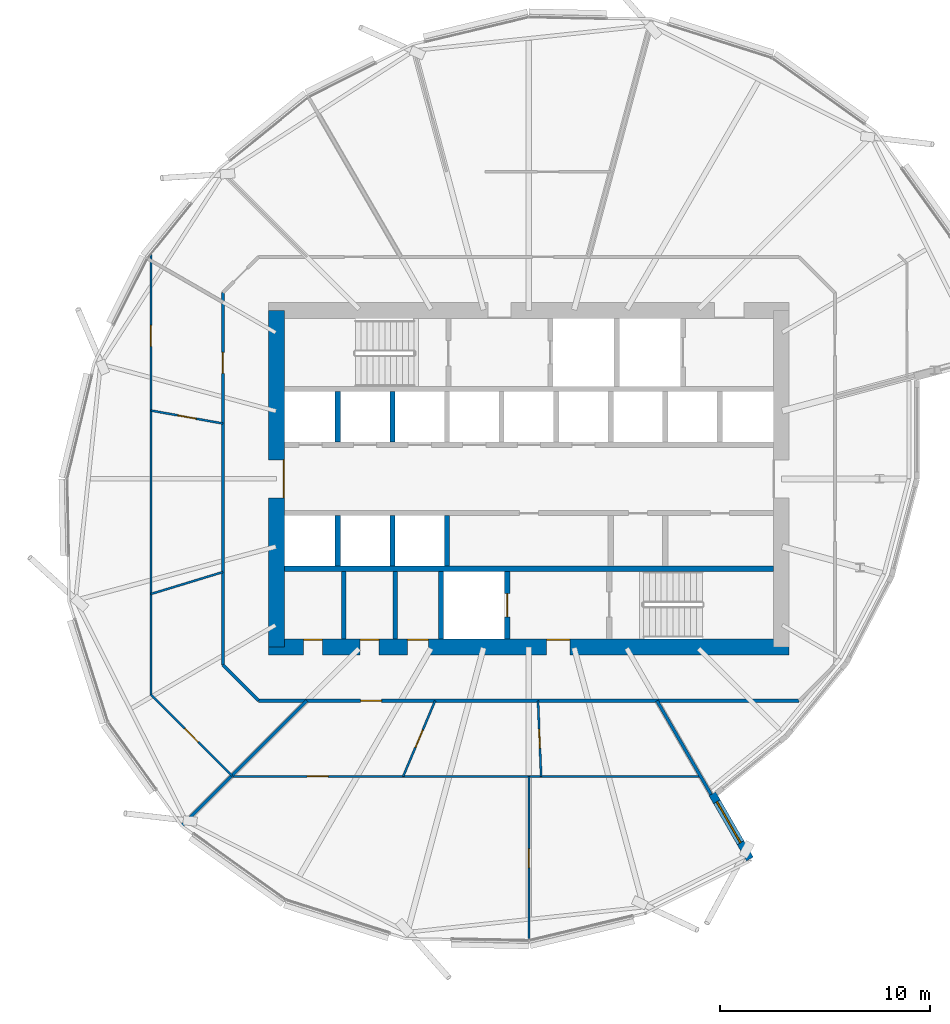
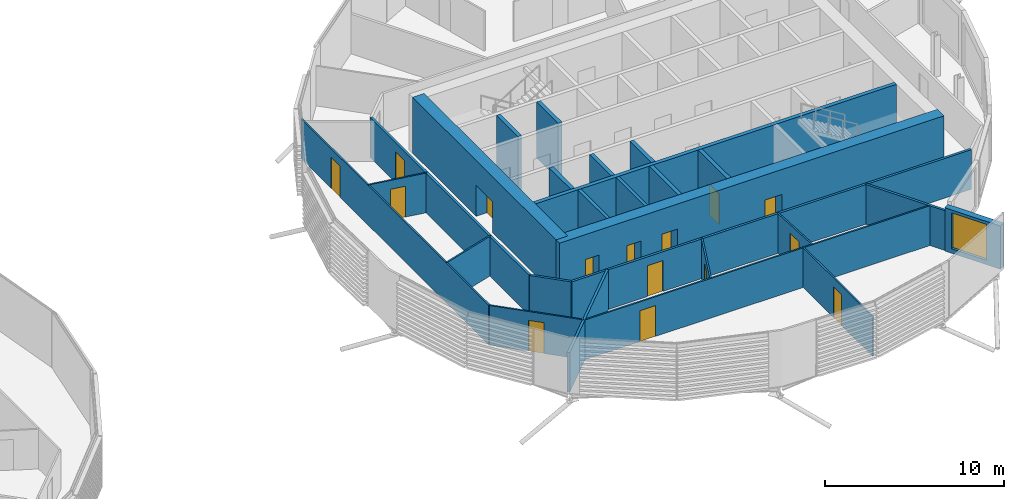
# One storey, part 24 of 39: 27 walls, 15 doors, 1 window, 16 openings.
"""IFC4 building model written with IfcOpenShell, lengths in metres."""

from ifc_helpers import new_model, si_unit, direction, frame, frame_2d, origin, place, context, subcontext, project, spatial, rectangle, extrude, material, layer, layer_set, type_object, element, fill, save


model = new_model("IFC4")

# Units and contexts
model_context = context("Model", 3, precision=1e-05, world=origin(), true_north=direction((0.0, 1.0)))
body_context = subcontext(model_context, "Body", "Model", "MODEL_VIEW")
ifc_project = project(units=[si_unit("LENGTHUNIT", "METRE"), si_unit("AREAUNIT", "SQUARE_METRE"), si_unit("VOLUMEUNIT", "CUBIC_METRE"), si_unit("PLANEANGLEUNIT", "RADIAN"), si_unit("MASSUNIT", "GRAM", prefix="KILO")], contexts=[model_context])

# Site, building, storey
site_placement = place(None, origin())
site = spatial("IfcSite", under=ifc_project, at=site_placement, CompositionType="ELEMENT")
building_placement = place(site_placement, origin())
building = spatial("IfcBuilding", under=site, at=building_placement, Name="Rimbun Link Towers", CompositionType="ELEMENT")
storey_placement = place(building_placement, frame((0.0, 0.0, 112.0)))
storey = spatial("IfcBuildingStorey", under=building, at=storey_placement, Name="L27", CompositionType="ELEMENT", Elevation=112.0)

# Wall, opening, window
ifc_material_1 = material(Name="Dark enamelled glass spandrel on insulated aluminium backpan", Category="aluminium")
ifc_layer_1 = layer(ifc_material_1, 0.3701171875)
ifc_layer_set_1 = layer_set([ifc_layer_1], Name="CS dark enamelled spandrel wall 370")
wall_type_1 = type_object("IfcWallType", Name="CS dark enamelled spandrel wall 370", PredefinedType="STANDARD", material=ifc_layer_set_1)
wall_1_placement = place(storey_placement, frame((40.4716796875, -14.976318359375, 0.0), z_axis=(0.0, 0.0, 1.0), x_axis=(0.500011709085, -0.866018643436, 0.0)))
wall_1 = element("IfcWall", 1, at=wall_1_placement, inside=storey, type_object=wall_type_1, Name="Crease spandrel wall", PredefinedType="STANDARD", context=body_context, shape_type="SweptSolid", body=[
    extrude(rectangle(XDim=3.580078125, YDim=0.3701171875, at=frame_2d((1.7900390625, 0.0))), origin(), (0.0, 0.0, 1.0), 2.9462890625),
])
opening_1_placement = place(wall_1_placement, frame((0.43505859375, 0.0, 0.300048828125)))
opening_1 = element("IfcOpeningElement", 2, at=opening_1_placement, cuts=wall_1, Name="Opening WR22H245", PredefinedType="OPENING", context=body_context, shape_type="SweptSolid", body=[
    extrude(rectangle(XDim=2.25, YDim=2.449951171875, at=frame_2d((1.125, 1.22509765625))), frame((0.0, 0.195068359375, 0.0), z_axis=(0.0, -1.0, 0.0), x_axis=(1.0, 0.0, 0.0)), (0.0, 0.0, 1.0), 0.39013671875),
])
ifc_material_2 = material(Name="Aluminium framed fixed window, dark tinted low-e glass", Category="aluminium")
window_type = type_object("IfcWindowType", Name="WR ribbon window 2250X2450", PartitioningType="SINGLE_PANEL", PredefinedType="WINDOW", material=ifc_material_2)
window_placement = place(opening_1_placement, origin())
window = element("IfcWindow", 3, at=window_placement, inside=storey, type_object=window_type, Name="Crease ribbon window", OverallHeight=2.449951171875, OverallWidth=2.25, PartitioningType="SINGLE_PANEL", PredefinedType="WINDOW", context=body_context, shape_type="SweptSolid", body=[
    extrude(rectangle(XDim=2.25, YDim=2.449951171875, at=frame_2d((1.125, 1.22509765625))), frame((0.0, 0.030029296875, 0.0), z_axis=(0.0, -1.0, 0.0), x_axis=(1.0, 0.0, 0.0)), (0.0, 0.0, 1.0), 0.06005859375),
])
fill(opening_1, window)

# Walls
ifc_material_3 = material(Name="Masonry blockwork", Category="masonry")
ifc_layer_2 = layer(ifc_material_3, 0.199951171875)
ifc_layer_set_2 = layer_set([ifc_layer_2], Name="Core partition 200")
wall_type_2 = type_object("IfcWallType", Name="Core partition 200", PredefinedType="PARTITIONING", material=ifc_layer_set_2)
for number, where, z_axis, x_axis, name in (
    (4, (22.949951171875, -4.39990234375, 0.0), (0.0, 0.0, 1.0), (0.0, -1.0, 0.0), "L27 T2 core wall C1"),
    (5, (25.39990234375, -4.39990234375, 0.0), (0.0, 0.0, 1.0), (0.0, -1.0, 0.0), "L27 T2 core wall C2"),
):
    element("IfcWall", number, at=place(storey_placement, frame(where, z_axis=z_axis, x_axis=x_axis)), inside=storey, type_object=wall_type_2, Name=name, PredefinedType="PARTITIONING", context=body_context, shape_type="SweptSolid", body=[
        extrude(rectangle(XDim=3.22509765625, YDim=0.199951171875, at=frame_2d((1.612548828125, 0.0))), origin(), (0.0, 0.0, 1.0), 3.800048828125),
    ])

# Wall, openings, doors
ifc_material_4 = material(Name="Concrete C60/75", Category="concrete")
ifc_layer_3 = layer(ifc_material_4, 0.75)
ifc_layer_set_3 = layer_set([ifc_layer_3], Name="Core shear wall 750")
wall_type_3 = type_object("IfcWallType", Name="Core shear wall 750", PredefinedType="SHEAR", material=ifc_layer_set_3)
wall_2_placement = place(storey_placement, frame((19.375, -8.0, 0.0), z_axis=(0.0, 0.0, 1.0), x_axis=(1.0, 0.0, 0.0)))
wall_2 = element("IfcWall", 6, at=wall_2_placement, inside=storey, type_object=wall_type_3, Name="L27 T2 core wall S", PredefinedType="SHEAR", context=body_context, shape_type="SweptSolid", body=[
    extrude(rectangle(XDim=24.75, YDim=0.75, at=frame_2d((12.375, 0.0))), origin(), (0.0, 0.0, 1.0), 3.800048828125),
])
opening_2_placement = place(wall_2_placement, frame((13.22509765625, 0.0, 0.0)))
opening_2 = element("IfcOpeningElement", 7, at=opening_2_placement, cuts=wall_2, Name="Opening C2DCF01S", PredefinedType="OPENING", context=body_context, shape_type="SweptSolid", body=[
    extrude(rectangle(XDim=1.10009765625, YDim=2.10009765625, at=frame_2d((0.550048828125, 1.050048828125))), frame((0.0, 0.385009765625, 0.0), z_axis=(0.0, -1.0, 0.0), x_axis=(1.0, 0.0, 0.0)), (0.0, 0.0, 1.0), 0.77001953125),
])
opening_3_placement = place(wall_2_placement, frame((1.66259765625, 0.0, 0.0)))
opening_3 = element("IfcOpeningElement", 8, at=opening_3_placement, cuts=wall_2, Name="Opening C2DWC02S", PredefinedType="OPENING", context=body_context, shape_type="SweptSolid", body=[
    extrude(rectangle(XDim=0.89990234375, YDim=2.10009765625, at=frame_2d((0.449951171875, 1.050048828125))), frame((0.0, 0.385009765625, 0.0), z_axis=(0.0, -1.0, 0.0), x_axis=(1.0, 0.0, 0.0)), (0.0, 0.0, 1.0), 0.77001953125),
])
opening_4_placement = place(wall_2_placement, frame((4.35009765625, 0.0, 0.0)))
opening_4 = element("IfcOpeningElement", 9, at=opening_4_placement, cuts=wall_2, Name="Opening C2DWC03S", PredefinedType="OPENING", context=body_context, shape_type="SweptSolid", body=[
    extrude(rectangle(XDim=0.89990234375, YDim=2.10009765625, at=frame_2d((0.449951171875, 1.050048828125))), frame((0.0, 0.385009765625, 0.0), z_axis=(0.0, -1.0, 0.0), x_axis=(1.0, 0.0, 0.0)), (0.0, 0.0, 1.0), 0.77001953125),
])
opening_5_placement = place(wall_2_placement, frame((6.60009765625, 0.0, 0.0)))
opening_5 = element("IfcOpeningElement", 10, at=opening_5_placement, cuts=wall_2, Name="Opening C2DAW04S", PredefinedType="OPENING", context=body_context, shape_type="SweptSolid", body=[
    extrude(rectangle(XDim=1.0, YDim=2.10009765625, at=frame_2d((0.5, 1.050048828125))), frame((0.0, 0.385009765625, 0.0), z_axis=(0.0, -1.0, 0.0), x_axis=(1.0, 0.0, 0.0)), (0.0, 0.0, 1.0), 0.77001953125),
])
ifc_material_5 = material(Name="Timber", Category="wood")
door_type_1 = type_object("IfcDoorType", Name="Accessible WC door", OperationType="SINGLE_SWING_LEFT", PredefinedType="DOOR", material=ifc_material_5)
door_1_placement = place(opening_5_placement, origin())
door_1 = element("IfcDoor", 11, at=door_1_placement, inside=storey, type_object=door_type_1, Name="L27 T2 accessible wc door", OperationType="SINGLE_SWING_RIGHT", OverallHeight=2.10009765625, OverallWidth=1.0, PredefinedType="DOOR", context=body_context, shape_type="SweptSolid", body=[
    extrude(rectangle(XDim=1.0, YDim=2.10009765625, at=frame_2d((0.5, 1.050048828125))), frame((0.0, 0.375, 0.0), z_axis=(0.0, -1.0, 0.0), x_axis=(1.0, 0.0, 0.0)), (0.0, 0.0, 1.0), 0.050048828125),
])
fill(opening_5, door_1)
ifc_material_6 = material(Name="Steel fire door set", Category="steel")
door_type_2 = type_object("IfcDoorType", Name="Core fire door single", OperationType="SINGLE_SWING_LEFT", PredefinedType="DOOR", material=ifc_material_6)
door_2_placement = place(opening_2_placement, origin())
door_2 = element("IfcDoor", 12, at=door_2_placement, inside=storey, type_object=door_type_2, Name="L27 T2 firefighting lobby s door", OperationType="SINGLE_SWING_RIGHT", OverallHeight=2.10009765625, OverallWidth=1.10009765625, PredefinedType="DOOR", context=body_context, shape_type="SweptSolid", body=[
    extrude(rectangle(XDim=1.10009765625, YDim=2.10009765625, at=frame_2d((0.550048828125, 1.050048828125))), frame((0.0, 0.375, 0.0), z_axis=(0.0, -1.0, 0.0), x_axis=(1.0, 0.0, 0.0)), (0.0, 0.0, 1.0), 0.050048828125),
])
fill(opening_2, door_2)
ifc_material_7 = material(Name="Timber", Category="wood")
door_type_3 = type_object("IfcDoorType", Name="WC door", OperationType="SINGLE_SWING_LEFT", PredefinedType="DOOR", material=ifc_material_7)
door_3_placement = place(opening_3_placement, origin())
door_3 = element("IfcDoor", 13, at=door_3_placement, inside=storey, type_object=door_type_3, Name="L27 T2 male wc door", OperationType="SINGLE_SWING_LEFT", OverallHeight=2.10009765625, OverallWidth=0.89990234375, PredefinedType="DOOR", context=body_context, shape_type="SweptSolid", body=[
    extrude(rectangle(XDim=0.89990234375, YDim=2.10009765625, at=frame_2d((0.449951171875, 1.050048828125))), frame((0.0, 0.375, 0.0), z_axis=(0.0, -1.0, 0.0), x_axis=(1.0, 0.0, 0.0)), (0.0, 0.0, 1.0), 0.050048828125),
])
fill(opening_3, door_3)
door_4_placement = place(opening_4_placement, origin())
door_4 = element("IfcDoor", 14, at=door_4_placement, inside=storey, type_object=door_type_3, Name="L27 T2 female wc door", OperationType="SINGLE_SWING_RIGHT", OverallHeight=2.10009765625, OverallWidth=0.89990234375, PredefinedType="DOOR", context=body_context, shape_type="SweptSolid", body=[
    extrude(rectangle(XDim=0.89990234375, YDim=2.10009765625, at=frame_2d((0.449951171875, 1.050048828125))), frame((0.0, 0.375, 0.0), z_axis=(0.0, -1.0, 0.0), x_axis=(1.0, 0.0, 0.0)), (0.0, 0.0, 1.0), 0.050048828125),
])
fill(opening_4, door_4)

# Wall, opening, door
wall_3_placement = place(storey_placement, frame((19.75, -8.0, 0.0), z_axis=(0.0, 0.0, 1.0), x_axis=(0.0, 1.0, 0.0)))
wall_3 = element("IfcWall", 15, at=wall_3_placement, inside=storey, type_object=wall_type_3, Name="L27 T2 core wall W", PredefinedType="SHEAR", context=body_context, shape_type="SweptSolid", body=[
    extrude(rectangle(XDim=16.0, YDim=0.75, at=frame_2d((8.0, 0.0))), origin(), (0.0, 0.0, 1.0), 3.800048828125),
])
opening_6_placement = place(wall_3_placement, frame((7.10009765625, 0.0, 0.0)))
opening_6 = element("IfcOpeningElement", 16, at=opening_6_placement, cuts=wall_3, Name="Opening C2DCL01W", PredefinedType="OPENING", context=body_context, shape_type="SweptSolid", body=[
    extrude(rectangle(XDim=1.800048828125, YDim=2.10009765625, at=frame_2d((0.89990234375, 1.050048828125))), frame((0.0, 0.385009765625, 0.0), z_axis=(0.0, -1.0, 0.0), x_axis=(1.0, 0.0, 0.0)), (0.0, 0.0, 1.0), 0.77001953125),
])
ifc_material_8 = material(Name="Steel fire door set", Category="steel")
door_type_4 = type_object("IfcDoorType", Name="Core lobby door double", OperationType="DOUBLE_DOOR_SINGLE_SWING", PredefinedType="DOOR", material=ifc_material_8)
door_5_placement = place(opening_6_placement, origin())
door_5 = element("IfcDoor", 17, at=door_5_placement, inside=storey, type_object=door_type_4, Name="L27 T2 lift lobby door", OperationType="DOUBLE_DOOR_SINGLE_SWING", OverallHeight=2.10009765625, OverallWidth=1.800048828125, PredefinedType="DOOR", context=body_context, shape_type="SweptSolid", body=[
    extrude(rectangle(XDim=1.800048828125, YDim=2.10009765625, at=frame_2d((0.89990234375, 1.050048828125))), frame((0.0, -0.3251953125, 0.0), z_axis=(0.0, -1.0, 0.0), x_axis=(1.0, 0.0, 0.0)), (0.0, 0.0, 1.0), 0.050048828125),
])
fill(opening_6, door_5)

ifc_material_9 = material(Name="Plasterboard on steel stud, mineral wool", Category="steel")
ifc_layer_4 = layer(ifc_material_9, 0.14990234375)
ifc_layer_set_4 = layer_set([ifc_layer_4], Name="Corridor wall EI 30 150 mm")
wall_type_4 = type_object("IfcWallType", Name="Corridor wall EI 30 150 mm", PredefinedType="PARTITIONING", material=ifc_layer_set_4)
wall_4_placement = place(storey_placement, frame((44.601806640625, -10.550048828125, 0.0), z_axis=(0.0, 0.0, 1.0), x_axis=(-1.0, 0.0, 0.0)))
wall_4 = element("IfcWall", 18, at=wall_4_placement, inside=storey, type_object=wall_type_4, Name="Corridor wall EI 30 150 mm", PredefinedType="PARTITIONING", context=body_context, shape_type="SweptSolid", body=[
    extrude(rectangle(XDim=25.70361328125, YDim=0.14990234375, at=frame_2d((12.851806640625, 0.0))), origin(), (0.0, 0.0, 1.0), 2.701904296875),
])
opening_7_placement = place(wall_4_placement, frame((19.855224609375, 0.0, 0.0)))
opening_7 = element("IfcOpeningElement", 19, at=opening_7_placement, cuts=wall_4, Name="Opening D01", PredefinedType="OPENING", context=body_context, shape_type="SweptSolid", body=[
    extrude(rectangle(XDim=1.0, YDim=2.10009765625, at=frame_2d((0.5, 1.050048828125))), frame((0.0, 0.0849609375, 0.0), z_axis=(0.0, -1.0, 0.0), x_axis=(1.0, 0.0, 0.0)), (0.0, 0.0, 1.0), 0.169921875),
])
ifc_material_10 = material(Name="Fire-resisting timber door leaf", Category="wood")
door_type_5 = type_object("IfcDoorType", Name="Fire door FD30S 1000", OperationType="NOTDEFINED", PredefinedType="DOOR", material=ifc_material_10)
door_6_placement = place(opening_7_placement, origin())
door_6 = element("IfcDoor", 20, at=door_6_placement, inside=storey, type_object=door_type_5, Name="Fire door FD30S 1000 to Reception", OperationType="SINGLE_SWING_RIGHT", OverallHeight=2.10009765625, OverallWidth=1.0, PredefinedType="DOOR", context=body_context, shape_type="SweptSolid", body=[
    extrude(rectangle(XDim=1.0, YDim=2.10009765625, at=frame_2d((0.5, 1.050048828125))), frame((0.0, 0.02490234375, 0.0), z_axis=(0.0, -1.0, 0.0), x_axis=(1.0, 0.0, 0.0)), (0.0, 0.0, 1.0), 0.050048828125),
])
fill(opening_7, door_6)

# Wall
wall_5_placement = place(storey_placement, frame((17.199951171875, -8.851806640625, 0.0), z_axis=(0.0, 0.0, 1.0), x_axis=(0.707106781187, -0.707106781187, 0.0)))
element("IfcWall", 21, at=wall_5_placement, inside=storey, type_object=wall_type_4, Name="Corridor wall EI 30 150 mm", PredefinedType="PARTITIONING", context=body_context, shape_type="SweptSolid", body=[
    extrude(rectangle(XDim=2.401611328125, YDim=0.14990234375, at=frame_2d((1.20068359375, 0.0))), origin(), (0.0, 0.0, 1.0), 2.701904296875),
])

# Wall, opening, door
wall_6_placement = place(storey_placement, frame((17.199951171875, -8.851806640625, 0.0), z_axis=(0.0, 0.0, 1.0), x_axis=(0.0, 1.0, 0.0)))
wall_6 = element("IfcWall", 22, at=wall_6_placement, inside=storey, type_object=wall_type_4, Name="Corridor wall EI 30 150 mm", PredefinedType="PARTITIONING", context=body_context, shape_type="SweptSolid", body=[
    extrude(rectangle(XDim=17.70361328125, YDim=0.14990234375, at=frame_2d((8.851806640625, 0.0))), origin(), (0.0, 0.0, 1.0), 2.701904296875),
])
opening_8_placement = place(wall_6_placement, frame((13.86767578125, 0.0, 0.0)))
opening_8 = element("IfcOpeningElement", 23, at=opening_8_placement, cuts=wall_6, Name="Opening D01", PredefinedType="OPENING", context=body_context, shape_type="SweptSolid", body=[
    extrude(rectangle(XDim=1.0, YDim=2.10009765625, at=frame_2d((0.5, 1.050048828125))), frame((0.0, 0.0849609375, 0.0), z_axis=(0.0, -1.0, 0.0), x_axis=(1.0, 0.0, 0.0)), (0.0, 0.0, 1.0), 0.169921875),
])
door_7_placement = place(opening_8_placement, origin())
door_7 = element("IfcDoor", 24, at=door_7_placement, inside=storey, type_object=door_type_5, Name="Fire door FD30S 1000 to Reception", OperationType="SINGLE_SWING_LEFT", OverallHeight=2.10009765625, OverallWidth=1.0, PredefinedType="DOOR", context=body_context, shape_type="SweptSolid", body=[
    extrude(rectangle(XDim=1.0, YDim=2.10009765625, at=frame_2d((0.5, 1.050048828125))), frame((0.0, 0.02490234375, 0.0), z_axis=(0.0, -1.0, 0.0), x_axis=(1.0, 0.0, 0.0)), (0.0, 0.0, 1.0), 0.050048828125),
])
fill(opening_8, door_7)

ifc_material_11 = material(Name="Plasterboard on steel stud", Category="steel")
ifc_layer_5 = layer(ifc_material_11, 0.10009765625)
ifc_layer_set_5 = layer_set([ifc_layer_5], Name="Plasterboard partition 100 mm")
wall_type_5 = type_object("IfcWallType", Name="Plasterboard partition 100 mm", PredefinedType="PARTITIONING", material=ifc_layer_set_5)
wall_7_placement = place(storey_placement, frame((17.199951171875, 2.63134765625, 0.0), z_axis=(0.0, 0.0, 1.0), x_axis=(-0.984029121171, 0.178007552331, 0.0)))
wall_7 = element("IfcWall", 25, at=wall_7_placement, inside=storey, type_object=wall_type_5, Name="Plasterboard partition 100 mm", PredefinedType="PARTITIONING", context=body_context, shape_type="SweptSolid", body=[
    extrude(rectangle(XDim=3.475341796875, YDim=0.10009765625, at=frame_2d((1.73779296875, 0.0))), origin(), (0.0, 0.0, 1.0), 2.701904296875),
])
opening_9_placement = place(wall_7_placement, frame((1.28759765625, 0.0, 0.0)))
opening_9 = element("IfcOpeningElement", 26, at=opening_9_placement, cuts=wall_7, Name="Opening D04", PredefinedType="OPENING", context=body_context, shape_type="SweptSolid", body=[
    extrude(rectangle(XDim=0.89990234375, YDim=2.10009765625, at=frame_2d((0.449951171875, 1.050048828125))), frame((0.0, 0.06005859375, 0.0), z_axis=(0.0, -1.0, 0.0), x_axis=(1.0, 0.0, 0.0)), (0.0, 0.0, 1.0), 0.1201171875),
])
ifc_material_12 = material(Name="Timber door leaf", Category="wood")
door_type_6 = type_object("IfcDoorType", Name="Flush door 900", OperationType="NOTDEFINED", PredefinedType="DOOR", material=ifc_material_12)
door_8_placement = place(opening_9_placement, origin())
door_8 = element("IfcDoor", 27, at=door_8_placement, inside=storey, type_object=door_type_6, Name="Flush door 900 to Meeting room", OperationType="SINGLE_SWING_LEFT", OverallHeight=2.10009765625, OverallWidth=0.89990234375, PredefinedType="DOOR", context=body_context, shape_type="SweptSolid", body=[
    extrude(rectangle(XDim=0.89990234375, YDim=2.10009765625, at=frame_2d((0.449951171875, 1.050048828125))), frame((0.0, 0.02490234375, 0.0), z_axis=(0.0, -1.0, 0.0), x_axis=(1.0, 0.0, 0.0)), (0.0, 0.0, 1.0), 0.050048828125),
])
fill(opening_9, door_8)

wall_8_placement = place(storey_placement, frame((13.780029296875, -10.268310546875, 0.0), z_axis=(0.0, 0.0, 1.0), x_axis=(0.0, 1.0, 0.0)))
wall_8 = element("IfcWall", 28, at=wall_8_placement, inside=storey, type_object=wall_type_5, Name="Plasterboard partition 100 mm", PredefinedType="PARTITIONING", context=body_context, shape_type="SweptSolid", body=[
    extrude(rectangle(XDim=20.94189453125, YDim=0.10009765625, at=frame_2d((10.470947265625, 0.0))), origin(), (0.0, 0.0, 1.0), 2.701904296875),
])
opening_10_placement = place(wall_8_placement, frame((16.565673828125, 0.0, 0.0)))
opening_10 = element("IfcOpeningElement", 29, at=opening_10_placement, cuts=wall_8, Name="Opening D03", PredefinedType="OPENING", context=body_context, shape_type="SweptSolid", body=[
    extrude(rectangle(XDim=1.0, YDim=2.10009765625, at=frame_2d((0.5, 1.050048828125))), frame((0.0, 0.06005859375, 0.0), z_axis=(0.0, -1.0, 0.0), x_axis=(1.0, 0.0, 0.0)), (0.0, 0.0, 1.0), 0.1201171875),
])
ifc_material_13 = material(Name="Timber door leaf", Category="wood")
door_type_7 = type_object("IfcDoorType", Name="Flush door 1000", OperationType="NOTDEFINED", PredefinedType="DOOR", material=ifc_material_13)
door_9_placement = place(opening_10_placement, origin())
door_9 = element("IfcDoor", 30, at=door_9_placement, inside=storey, type_object=door_type_7, Name="Flush door 1000 to Open office", OperationType="SINGLE_SWING_RIGHT", OverallHeight=2.10009765625, OverallWidth=1.0, PredefinedType="DOOR", context=body_context, shape_type="SweptSolid", body=[
    extrude(rectangle(XDim=1.0, YDim=2.10009765625, at=frame_2d((0.5, 1.050048828125))), frame((0.0, 0.02490234375, 0.0), z_axis=(0.0, -1.0, 0.0), x_axis=(1.0, 0.0, 0.0)), (0.0, 0.0, 1.0), 0.050048828125),
])
fill(opening_10, door_9)

# Wall
wall_9_placement = place(storey_placement, frame((13.780029296875, -5.475341796875, 0.0), z_axis=(0.0, 0.0, 1.0), x_axis=(0.95656547639, 0.291517562729, 0.0)))
element("IfcWall", 31, at=wall_9_placement, inside=storey, type_object=wall_type_5, Name="Plasterboard partition 100 mm", PredefinedType="PARTITIONING", context=body_context, shape_type="SweptSolid", body=[
    extrude(rectangle(XDim=3.5751953125, YDim=0.10009765625, at=frame_2d((1.78759765625, 0.0))), origin(), (0.0, 0.0, 1.0), 2.701904296875),
])

# Wall, opening, door
wall_10_placement = place(storey_placement, frame((13.780029296875, -10.268310546875, 0.0), z_axis=(0.0, 0.0, 1.0), x_axis=(0.707106781187, -0.707106781187, 0.0)))
wall_10 = element("IfcWall", 32, at=wall_10_placement, inside=storey, type_object=wall_type_5, Name="Plasterboard partition 100 mm", PredefinedType="PARTITIONING", context=body_context, shape_type="SweptSolid", body=[
    extrude(rectangle(XDim=5.44580078125, YDim=0.10009765625, at=frame_2d((2.722900390625, 0.0))), origin(), (0.0, 0.0, 1.0), 2.701904296875),
])
opening_11_placement = place(wall_10_placement, frame((2.27294921875, 0.0, 0.0)))
opening_11 = element("IfcOpeningElement", 33, at=opening_11_placement, cuts=wall_10, Name="Opening D04", PredefinedType="OPENING", context=body_context, shape_type="SweptSolid", body=[
    extrude(rectangle(XDim=0.89990234375, YDim=2.10009765625, at=frame_2d((0.449951171875, 1.050048828125))), frame((0.0, 0.06005859375, 0.0), z_axis=(0.0, -1.0, 0.0), x_axis=(1.0, 0.0, 0.0)), (0.0, 0.0, 1.0), 0.1201171875),
])
door_10_placement = place(opening_11_placement, origin())
door_10 = element("IfcDoor", 34, at=door_10_placement, inside=storey, type_object=door_type_6, Name="Flush door 900 to Print room", OperationType="SINGLE_SWING_RIGHT", OverallHeight=2.10009765625, OverallWidth=0.89990234375, PredefinedType="DOOR", context=body_context, shape_type="SweptSolid", body=[
    extrude(rectangle(XDim=0.89990234375, YDim=2.10009765625, at=frame_2d((0.449951171875, 1.050048828125))), frame((0.0, 0.02490234375, 0.0), z_axis=(0.0, -1.0, 0.0), x_axis=(1.0, 0.0, 0.0)), (0.0, 0.0, 1.0), 0.050048828125),
])
fill(opening_11, door_10)

wall_11_placement = place(storey_placement, frame((27.29296875, -10.550048828125, 0.0), z_axis=(0.0, 0.0, 1.0), x_axis=(-0.389148768178, -0.921174921622, 0.0)))
wall_11 = element("IfcWall", 35, at=wall_11_placement, inside=storey, type_object=wall_type_5, Name="Plasterboard partition 100 mm", PredefinedType="PARTITIONING", context=body_context, shape_type="SweptSolid", body=[
    extrude(rectangle(XDim=3.907958984375, YDim=0.10009765625, at=frame_2d((1.9541015625, 0.0))), origin(), (0.0, 0.0, 1.0), 2.701904296875),
])
opening_12_placement = place(wall_11_placement, frame((1.50390625, 0.0, 0.0)))
opening_12 = element("IfcOpeningElement", 36, at=opening_12_placement, cuts=wall_11, Name="Opening D04", PredefinedType="OPENING", context=body_context, shape_type="SweptSolid", body=[
    extrude(rectangle(XDim=0.89990234375, YDim=2.10009765625, at=frame_2d((0.449951171875, 1.050048828125))), frame((0.0, 0.06005859375, 0.0), z_axis=(0.0, -1.0, 0.0), x_axis=(1.0, 0.0, 0.0)), (0.0, 0.0, 1.0), 0.1201171875),
])
door_11_placement = place(opening_12_placement, origin())
door_11 = element("IfcDoor", 37, at=door_11_placement, inside=storey, type_object=door_type_6, Name="Flush door 900 to Meeting room", OperationType="SINGLE_SWING_LEFT", OverallHeight=2.10009765625, OverallWidth=0.89990234375, PredefinedType="DOOR", context=body_context, shape_type="SweptSolid", body=[
    extrude(rectangle(XDim=0.89990234375, YDim=2.10009765625, at=frame_2d((0.449951171875, 1.050048828125))), frame((0.0, 0.02490234375, 0.0), z_axis=(0.0, -1.0, 0.0), x_axis=(1.0, 0.0, 0.0)), (0.0, 0.0, 1.0), 0.050048828125),
])
fill(opening_12, door_11)

wall_12_placement = place(storey_placement, frame((31.75, -14.14990234375, 0.0), z_axis=(0.0, 0.0, 1.0), x_axis=(-1.0, 0.0, 0.0)))
wall_12 = element("IfcWall", 38, at=wall_12_placement, inside=storey, type_object=wall_type_5, Name="Plasterboard partition 100 mm", PredefinedType="PARTITIONING", context=body_context, shape_type="SweptSolid", body=[
    extrude(rectangle(XDim=14.14990234375, YDim=0.10009765625, at=frame_2d((7.074951171875, 0.0))), origin(), (0.0, 0.0, 1.0), 2.701904296875),
])
opening_13_placement = place(wall_12_placement, frame((9.547607421875, 0.0, 0.0)))
opening_13 = element("IfcOpeningElement", 39, at=opening_13_placement, cuts=wall_12, Name="Opening D03", PredefinedType="OPENING", context=body_context, shape_type="SweptSolid", body=[
    extrude(rectangle(XDim=1.0, YDim=2.10009765625, at=frame_2d((0.5, 1.050048828125))), frame((0.0, 0.06005859375, 0.0), z_axis=(0.0, -1.0, 0.0), x_axis=(1.0, 0.0, 0.0)), (0.0, 0.0, 1.0), 0.1201171875),
])
door_12_placement = place(opening_13_placement, origin())
door_12 = element("IfcDoor", 40, at=door_12_placement, inside=storey, type_object=door_type_7, Name="Flush door 1000 to Co-working space", OperationType="SINGLE_SWING_RIGHT", OverallHeight=2.10009765625, OverallWidth=1.0, PredefinedType="DOOR", context=body_context, shape_type="SweptSolid", body=[
    extrude(rectangle(XDim=1.0, YDim=2.10009765625, at=frame_2d((0.5, 1.050048828125))), frame((0.0, 0.02490234375, 0.0), z_axis=(0.0, -1.0, 0.0), x_axis=(1.0, 0.0, 0.0)), (0.0, 0.0, 1.0), 0.050048828125),
])
fill(opening_13, door_12)

wall_13_placement = place(storey_placement, frame((32.18505859375, -10.550048828125, 0.0), z_axis=(0.0, 0.0, 1.0), x_axis=(0.041199306643, -0.999150948122, 0.0)))
wall_13 = element("IfcWall", 41, at=wall_13_placement, inside=storey, type_object=wall_type_5, Name="Plasterboard partition 100 mm", PredefinedType="PARTITIONING", context=body_context, shape_type="SweptSolid", body=[
    extrude(rectangle(XDim=3.60302734375, YDim=0.10009765625, at=frame_2d((1.801513671875, 0.0))), origin(), (0.0, 0.0, 1.0), 2.701904296875),
])
opening_14_placement = place(wall_13_placement, frame((1.3515625, 0.0, 0.0)))
opening_14 = element("IfcOpeningElement", 42, at=opening_14_placement, cuts=wall_13, Name="Opening D04", PredefinedType="OPENING", context=body_context, shape_type="SweptSolid", body=[
    extrude(rectangle(XDim=0.89990234375, YDim=2.10009765625, at=frame_2d((0.449951171875, 1.050048828125))), frame((0.0, 0.06005859375, 0.0), z_axis=(0.0, -1.0, 0.0), x_axis=(1.0, 0.0, 0.0)), (0.0, 0.0, 1.0), 0.1201171875),
])
door_13_placement = place(opening_14_placement, origin())
door_13 = element("IfcDoor", 43, at=door_13_placement, inside=storey, type_object=door_type_6, Name="Flush door 900 to Pantry", OperationType="SINGLE_SWING_LEFT", OverallHeight=2.10009765625, OverallWidth=0.89990234375, PredefinedType="DOOR", context=body_context, shape_type="SweptSolid", body=[
    extrude(rectangle(XDim=0.89990234375, YDim=2.10009765625, at=frame_2d((0.449951171875, 1.050048828125))), frame((0.0, 0.02490234375, 0.0), z_axis=(0.0, -1.0, 0.0), x_axis=(1.0, 0.0, 0.0)), (0.0, 0.0, 1.0), 0.050048828125),
])
fill(opening_14, door_13)

# Wall
wall_14_placement = place(storey_placement, frame((31.75, -14.14990234375, 0.0), z_axis=(0.0, 0.0, 1.0), x_axis=(1.0, 0.0, 0.0)))
element("IfcWall", 44, at=wall_14_placement, inside=storey, type_object=wall_type_5, Name="Plasterboard partition 100 mm", PredefinedType="PARTITIONING", context=body_context, shape_type="SweptSolid", body=[
    extrude(rectangle(XDim=8.169677734375, YDim=0.10009765625, at=frame_2d((4.0849609375, 0.0))), origin(), (0.0, 0.0, 1.0), 2.701904296875),
])

# Wall, opening, door
wall_15_placement = place(storey_placement, frame((31.75, -14.14990234375, 0.0), z_axis=(0.0, 0.0, 1.0), x_axis=(0.0, -1.0, 0.0)))
wall_15 = element("IfcWall", 45, at=wall_15_placement, inside=storey, type_object=wall_type_5, Name="Plasterboard partition 100 mm", PredefinedType="PARTITIONING", context=body_context, shape_type="SweptSolid", body=[
    extrude(rectangle(XDim=7.77978515625, YDim=0.10009765625, at=frame_2d((3.889892578125, 0.0))), origin(), (0.0, 0.0, 1.0), 2.701904296875),
])
opening_15_placement = place(wall_15_placement, frame((3.439697265625, 0.0, 0.0)))
opening_15 = element("IfcOpeningElement", 46, at=opening_15_placement, cuts=wall_15, Name="Opening D04", PredefinedType="OPENING", context=body_context, shape_type="SweptSolid", body=[
    extrude(rectangle(XDim=0.89990234375, YDim=2.10009765625, at=frame_2d((0.449951171875, 1.050048828125))), frame((0.0, 0.06005859375, 0.0), z_axis=(0.0, -1.0, 0.0), x_axis=(1.0, 0.0, 0.0)), (0.0, 0.0, 1.0), 0.1201171875),
])
door_14_placement = place(opening_15_placement, origin())
door_14 = element("IfcDoor", 47, at=door_14_placement, inside=storey, type_object=door_type_6, Name="Flush door 900 to Serviced office", OperationType="SINGLE_SWING_LEFT", OverallHeight=2.10009765625, OverallWidth=0.89990234375, PredefinedType="DOOR", context=body_context, shape_type="SweptSolid", body=[
    extrude(rectangle(XDim=0.89990234375, YDim=2.10009765625, at=frame_2d((0.449951171875, 1.050048828125))), frame((0.0, 0.02490234375, 0.0), z_axis=(0.0, -1.0, 0.0), x_axis=(1.0, 0.0, 0.0)), (0.0, 0.0, 1.0), 0.050048828125),
])
fill(opening_15, door_14)

# Walls
ifc_material_14 = material(Name="Concrete C60/75", Category="concrete")
ifc_layer_6 = layer(ifc_material_14, 0.25)
ifc_layer_set_6 = layer_set([ifc_layer_6], Name="Shaft wall 250")
wall_type_6 = type_object("IfcWallType", Name="Shaft wall 250", PredefinedType="SHEAR", material=ifc_layer_set_6)
wall_16_placement = place(storey_placement, frame((20.125, -4.27490234375, 0.0), z_axis=(0.0, 0.0, 1.0), x_axis=(1.0, 0.0, 0.0)))
element("IfcWall", 48, at=wall_16_placement, inside=storey, type_object=wall_type_6, Name="L27 T2 core wall BS", PredefinedType="SHEAR", context=body_context, shape_type="SweptSolid", body=[
    extrude(rectangle(XDim=23.25, YDim=0.25, at=frame_2d((11.625, 0.0))), origin(), (0.0, 0.0, 1.0), 3.800048828125),
])
for number, where, z_axis, x_axis, name in (
    (49, (22.66943359375, 1.75, 0.0), (0.0, 0.0, 1.0), (0.0, 1.0, 0.0), "L27 T2 core wall DN0"),
    (50, (25.263916015625, 1.75, 0.0), (0.0, 0.0, 1.0), (0.0, 1.0, 0.0), "L27 T2 core wall DN1"),
    (51, (22.66943359375, -4.14990234375, 0.0), (0.0, 0.0, 1.0), (0.0, 1.0, 0.0), "L27 T2 core wall DS0"),
    (52, (25.263916015625, -4.14990234375, 0.0), (0.0, 0.0, 1.0), (0.0, 1.0, 0.0), "L27 T2 core wall DS1"),
    (53, (27.8583984375, -4.14990234375, 0.0), (0.0, 0.0, 1.0), (0.0, 1.0, 0.0), "L27 T2 core wall DS2"),
):
    element("IfcWall", number, at=place(storey_placement, frame(where, z_axis=z_axis, x_axis=x_axis)), inside=storey, type_object=wall_type_6, Name=name, PredefinedType="SHEAR", context=body_context, shape_type="SweptSolid", body=[
        extrude(rectangle(XDim=2.39990234375, YDim=0.25, at=frame_2d((1.199951171875, 0.0))), origin(), (0.0, 0.0, 1.0), 3.800048828125),
    ])

# Wall, opening, door
wall_17_placement = place(storey_placement, frame((30.72509765625, -4.39990234375, 0.0), z_axis=(0.0, 0.0, 1.0), x_axis=(0.0, -1.0, 0.0)))
wall_17 = element("IfcWall", 54, at=wall_17_placement, inside=storey, type_object=wall_type_6, Name="L27 T2 core wall B2", PredefinedType="SHEAR", context=body_context, shape_type="SweptSolid", body=[
    extrude(rectangle(XDim=3.22509765625, YDim=0.25, at=frame_2d((1.612548828125, 0.0))), origin(), (0.0, 0.0, 1.0), 3.800048828125),
])
opening_16_placement = place(wall_17_placement, frame((1.0625, 0.0, 0.0)))
opening_16 = element("IfcOpeningElement", 55, at=opening_16_placement, cuts=wall_17, Name="Opening LD-T2-FF2", PredefinedType="OPENING", context=body_context, shape_type="SweptSolid", body=[
    extrude(rectangle(XDim=1.10009765625, YDim=2.10009765625, at=frame_2d((0.550048828125, 1.050048828125))), frame((0.0, 0.135009765625, 0.0), z_axis=(0.0, -1.0, 0.0), x_axis=(1.0, 0.0, 0.0)), (0.0, 0.0, 1.0), 0.27001953125),
])
ifc_material_15 = material(Name="Stainless steel grade 316", Category="steel")
door_type_8 = type_object("IfcDoorType", Name="Lift landing door", OperationType="DOUBLE_DOOR_SLIDING", PredefinedType="DOOR", material=ifc_material_15)
door_15_placement = place(opening_16_placement, origin())
door_15 = element("IfcDoor", 56, at=door_15_placement, inside=storey, type_object=door_type_8, Name="L27 T2 lift FF2 landing door", OperationType="DOUBLE_DOOR_SLIDING", OverallHeight=2.10009765625, OverallWidth=1.10009765625, PredefinedType="DOOR", context=body_context, shape_type="SweptSolid", body=[
    extrude(rectangle(XDim=1.10009765625, YDim=2.10009765625, at=frame_2d((0.550048828125, 1.050048828125))), frame((0.0, 0.02490234375, 0.0), z_axis=(0.0, -1.0, 0.0), x_axis=(1.0, 0.0, 0.0)), (0.0, 0.0, 1.0), 0.050048828125),
])
fill(opening_16, door_15)

# Walls
wall_18_placement = place(storey_placement, frame((27.574951171875, -4.39990234375, 0.0), z_axis=(0.0, 0.0, 1.0), x_axis=(0.0, -1.0, 0.0)))
element("IfcWall", 57, at=wall_18_placement, inside=storey, type_object=wall_type_6, Name="L27 T2 core wall B3", PredefinedType="SHEAR", context=body_context, shape_type="SweptSolid", body=[
    extrude(rectangle(XDim=3.22509765625, YDim=0.25, at=frame_2d((1.612548828125, 0.0))), origin(), (0.0, 0.0, 1.0), 3.800048828125),
])
ifc_material_16 = material(Name="Plasterboard on steel stud, mineral wool", Category="steel")
ifc_layer_7 = layer(ifc_material_16, 0.14990234375)
ifc_layer_set_7 = layer_set([ifc_layer_7], Name="Tenancy separation wall EI 60 150 mm")
wall_type_7 = type_object("IfcWallType", Name="Tenancy separation wall EI 60 150 mm", PredefinedType="PARTITIONING", material=ifc_layer_set_7)
wall_19_placement = place(storey_placement, frame((21.199951171875, -10.550048828125, 0.0), z_axis=(0.0, 0.0, 1.0), x_axis=(-0.707106781187, -0.707106781187, 0.0)))
element("IfcWall", 58, at=wall_19_placement, inside=storey, type_object=wall_type_7, Name="Tenancy separation wall EI 60 150 mm", PredefinedType="PARTITIONING", context=body_context, shape_type="SweptSolid", body=[
    extrude(rectangle(XDim=8.36279296875, YDim=0.14990234375, at=frame_2d((4.181396484375, 0.0))), origin(), (0.0, 0.0, 1.0), 2.701904296875),
])
wall_20_placement = place(storey_placement, frame((37.841064453125, -10.550048828125, 0.0), z_axis=(0.0, 0.0, 1.0), x_axis=(0.499994737591, -0.866028442016, 0.0)))
element("IfcWall", 59, at=wall_20_placement, inside=storey, type_object=wall_type_7, Name="Tenancy separation wall EI 60 150 mm", PredefinedType="PARTITIONING", context=body_context, shape_type="SweptSolid", body=[
    extrude(rectangle(XDim=5.1484375, YDim=0.14990234375, at=frame_2d((2.57421875, 0.0))), origin(), (0.0, 0.0, 1.0), 2.701904296875),
])

save(model, "model.ifc")
